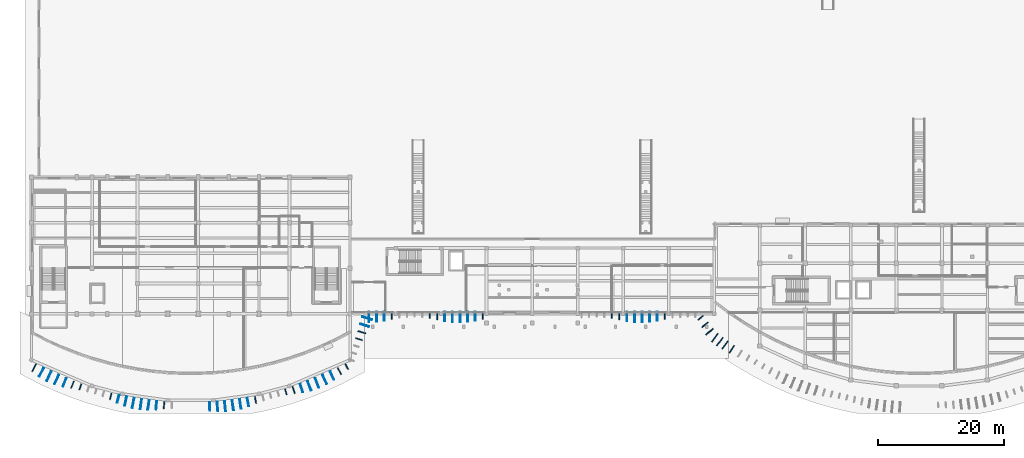
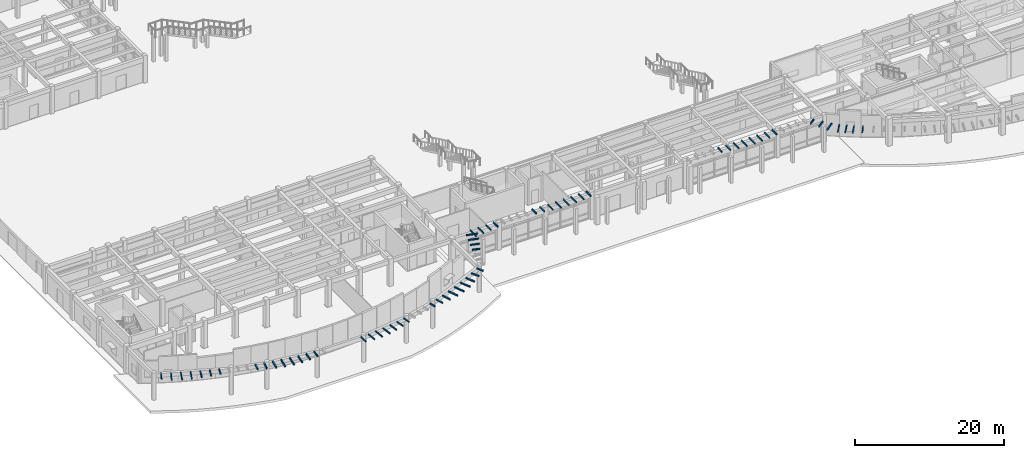
# One storey, part 41 of 58: 62 discrete accessories.
"""IFC4 building model written with IfcOpenShell, lengths in metres."""

from ifc_helpers import new_model, si_unit, direction, frame, origin, origin_2d, place, context, subcontext, project, spatial, rectangle, extrude, material, type_object, element, save


model = new_model("IFC4")

# Units and contexts
model_context = context("Model", 3, precision=1e-05, world=origin(), true_north=direction((0.0, 1.0)))
body_context = subcontext(model_context, "Body", "Model", "MODEL_VIEW")
ifc_project = project(units=[si_unit("LENGTHUNIT", "METRE"), si_unit("AREAUNIT", "SQUARE_METRE"), si_unit("VOLUMEUNIT", "CUBIC_METRE"), si_unit("PLANEANGLEUNIT", "RADIAN"), si_unit("MASSUNIT", "GRAM", prefix="KILO")], contexts=[model_context])

# Site, building, storey
site_placement = place(None, origin())
site = spatial("IfcSite", under=ifc_project, at=site_placement, CompositionType="ELEMENT")
building_placement = place(site_placement, origin())
building = spatial("IfcBuilding", under=site, at=building_placement, Name="Brisavento Harbour Community Centre", CompositionType="ELEMENT")
storey_placement = place(building_placement, origin())
storey = spatial("IfcBuildingStorey", under=building, at=storey_placement, Name="L00", CompositionType="ELEMENT", Elevation=0.0)

# Discrete accessories
ifc_material = material(Name="Stainless steel 1.4401", Category="steel")
discrete_accessory_type = type_object("IfcDiscreteAccessoryType", Name="BRK-FIN-SS", PredefinedType="BRACKET", material=ifc_material)
discrete_accessory_1_placement = place(storey_placement, frame((0.431884765625, 5.878662109375, 4.27978515625), z_axis=(0.0, 0.0, 1.0), x_axis=(-0.461702168823, -0.887035009063, 0.0)))
element("IfcDiscreteAccessory", 1, at=discrete_accessory_1_placement, inside=storey, type_object=discrete_accessory_type, Name="Stainless-steel storm-fin bracket 001.2", PredefinedType="BRACKET", context=body_context, shape_type="SweptSolid", body=[
    extrude(rectangle(XDim=1.32861328125, YDim=0.139892578125, at=origin_2d()), origin(), (0.0, 0.0, 1.0), 0.199951171875),
])
discrete_accessory_2_placement = place(storey_placement, frame((1.58447265625, 5.1630859375, 4.27978515625), z_axis=(0.0, 0.0, 1.0), x_axis=(-0.461702168823, -0.887035009063, 0.0)))
element("IfcDiscreteAccessory", 2, at=discrete_accessory_2_placement, inside=storey, type_object=discrete_accessory_type, Name="Stainless-steel storm-fin bracket 002.2", PredefinedType="BRACKET", context=body_context, shape_type="SweptSolid", body=[
    extrude(rectangle(XDim=1.533935546875, YDim=0.139892578125, at=origin_2d()), origin(), (0.0, 0.0, 1.0), 0.199951171875),
])
discrete_accessory_3_placement = place(storey_placement, frame((2.786376953125, 4.5234375, 4.27978515625), z_axis=(0.0, 0.0, 1.0), x_axis=(-0.415518926407, -0.909584532519, 0.0)))
element("IfcDiscreteAccessory", 3, at=discrete_accessory_3_placement, inside=storey, type_object=discrete_accessory_type, Name="Stainless-steel storm-fin bracket 003.2", PredefinedType="BRACKET", context=body_context, shape_type="SweptSolid", body=[
    extrude(rectangle(XDim=1.627685546875, YDim=0.139892578125, at=origin_2d()), origin(), (0.0, 0.0, 1.0), 0.199951171875),
])
discrete_accessory_4_placement = place(storey_placement, frame((3.99560546875, 3.99560546875, 4.27978515625), z_axis=(0.0, 0.0, 1.0), x_axis=(-0.415518926407, -0.909584532519, 0.0)))
element("IfcDiscreteAccessory", 4, at=discrete_accessory_4_placement, inside=storey, type_object=discrete_accessory_type, Name="Stainless-steel storm-fin bracket 004.2", PredefinedType="BRACKET", context=body_context, shape_type="SweptSolid", body=[
    extrude(rectangle(XDim=1.583251953125, YDim=0.139892578125, at=origin_2d()), origin(), (0.0, 0.0, 1.0), 0.199951171875),
])
discrete_accessory_5_placement = place(storey_placement, frame((5.248779296875, 3.549560546875, 4.27978515625), z_axis=(0.0, 0.0, 1.0), x_axis=(-0.369341311525, -0.92929381554, 0.0)))
element("IfcDiscreteAccessory", 5, at=discrete_accessory_5_placement, inside=storey, type_object=discrete_accessory_type, Name="Stainless-steel storm-fin bracket 005.2", PredefinedType="BRACKET", context=body_context, shape_type="SweptSolid", body=[
    extrude(rectangle(XDim=1.419189453125, YDim=0.139892578125, at=origin_2d()), origin(), (0.0, 0.0, 1.0), 0.199951171875),
])
discrete_accessory_6_placement = place(storey_placement, frame((6.490966796875, 3.17919921875, 4.27978515625), z_axis=(0.0, 0.0, 1.0), x_axis=(-0.369341311525, -0.92929381554, 0.0)))
element("IfcDiscreteAccessory", 6, at=discrete_accessory_6_placement, inside=storey, type_object=discrete_accessory_type, Name="Stainless-steel storm-fin bracket 006.2", PredefinedType="BRACKET", context=body_context, shape_type="SweptSolid", body=[
    extrude(rectangle(XDim=1.18994140625, YDim=0.139892578125, at=origin_2d()), origin(), (0.0, 0.0, 1.0), 0.199951171875),
])
discrete_accessory_7_placement = place(storey_placement, frame((7.74072265625, 2.836181640625, 4.27978515625), z_axis=(0.0, 0.0, 1.0), x_axis=(-0.323174264667, -0.94633947115, 0.0)))
element("IfcDiscreteAccessory", 7, at=discrete_accessory_7_placement, inside=storey, type_object=discrete_accessory_type, Name="Stainless-steel storm-fin bracket 007.2", PredefinedType="BRACKET", context=body_context, shape_type="SweptSolid", body=[
    extrude(rectangle(XDim=0.96728515625, YDim=0.139892578125, at=origin_2d()), origin(), (0.0, 0.0, 1.0), 0.199951171875),
])
discrete_accessory_8_placement = place(storey_placement, frame((12.54736328125, 1.339111328125, 4.27978515625), z_axis=(0.0, 0.0, 1.0), x_axis=(-0.230830981037, -0.972993863389, 0.0)))
element("IfcDiscreteAccessory", 8, at=discrete_accessory_8_placement, inside=storey, type_object=discrete_accessory_type, Name="Stainless-steel storm-fin bracket 011.2", PredefinedType="BRACKET", context=body_context, shape_type="SweptSolid", body=[
    extrude(rectangle(XDim=1.0556640625, YDim=0.139892578125, at=origin_2d()), origin(), (0.0, 0.0, 1.0), 0.199951171875),
])
discrete_accessory_9_placement = place(storey_placement, frame((13.721435546875, 0.945068359375, 4.27978515625), z_axis=(0.0, 0.0, 1.0), x_axis=(-0.230830981037, -0.972993863389, 0.0)))
element("IfcDiscreteAccessory", 9, at=discrete_accessory_9_placement, inside=storey, type_object=discrete_accessory_type, Name="Stainless-steel storm-fin bracket 012.2", PredefinedType="BRACKET", context=body_context, shape_type="SweptSolid", body=[
    extrude(rectangle(XDim=1.28076171875, YDim=0.139892578125, at=origin_2d()), origin(), (0.0, 0.0, 1.0), 0.199951171875),
])
discrete_accessory_10_placement = place(storey_placement, frame((14.91845703125, 0.5869140625, 4.27978515625), z_axis=(0.0, 0.0, 1.0), x_axis=(-0.184671830369, -0.982800241691, 0.0)))
element("IfcDiscreteAccessory", 10, at=discrete_accessory_10_placement, inside=storey, type_object=discrete_accessory_type, Name="Stainless-steel storm-fin bracket 013.2", PredefinedType="BRACKET", context=body_context, shape_type="SweptSolid", body=[
    extrude(rectangle(XDim=1.4833984375, YDim=0.139892578125, at=origin_2d()), origin(), (0.0, 0.0, 1.0), 0.199951171875),
])
discrete_accessory_11_placement = place(storey_placement, frame((16.10693359375, 0.30029296875, 4.27978515625), z_axis=(0.0, 0.0, 1.0), x_axis=(-0.184671830369, -0.982800241691, 0.0)))
element("IfcDiscreteAccessory", 11, at=discrete_accessory_11_placement, inside=storey, type_object=discrete_accessory_type, Name="Stainless-steel storm-fin bracket 014.2", PredefinedType="BRACKET", context=body_context, shape_type="SweptSolid", body=[
    extrude(rectangle(XDim=1.60791015625, YDim=0.139892578125, at=origin_2d()), origin(), (0.0, 0.0, 1.0), 0.199951171875),
])
discrete_accessory_12_placement = place(storey_placement, frame((17.329345703125, 0.093505859375, 4.27978515625), z_axis=(0.0, 0.0, 1.0), x_axis=(-0.138499014678, -0.990362571452, 0.0)))
element("IfcDiscreteAccessory", 12, at=discrete_accessory_12_placement, inside=storey, type_object=discrete_accessory_type, Name="Stainless-steel storm-fin bracket 015.2", PredefinedType="BRACKET", context=body_context, shape_type="SweptSolid", body=[
    extrude(rectangle(XDim=1.620849609375, YDim=0.139892578125, at=origin_2d()), origin(), (0.0, 0.0, 1.0), 0.199951171875),
])
discrete_accessory_13_placement = place(storey_placement, frame((18.536376953125, -0.0244140625, 4.27978515625), z_axis=(0.0, 0.0, 1.0), x_axis=(-0.138499014678, -0.990362571452, 0.0)))
element("IfcDiscreteAccessory", 13, at=discrete_accessory_13_placement, inside=storey, type_object=discrete_accessory_type, Name="Stainless-steel storm-fin bracket 016.2", PredefinedType="BRACKET", context=body_context, shape_type="SweptSolid", body=[
    extrude(rectangle(XDim=1.52001953125, YDim=0.139892578125, at=origin_2d()), origin(), (0.0, 0.0, 1.0), 0.199951171875),
])
discrete_accessory_14_placement = place(storey_placement, frame((19.76611328125, -0.073486328125, 4.27978515625), z_axis=(0.0, 0.0, 1.0), x_axis=(-0.092335830041, -0.99572792192, 0.0)))
element("IfcDiscreteAccessory", 14, at=discrete_accessory_14_placement, inside=storey, type_object=discrete_accessory_type, Name="Stainless-steel storm-fin bracket 017.2", PredefinedType="BRACKET", context=body_context, shape_type="SweptSolid", body=[
    extrude(rectangle(XDim=1.333740234375, YDim=0.139892578125, at=origin_2d()), origin(), (0.0, 0.0, 1.0), 0.199951171875),
])
discrete_accessory_15_placement = place(storey_placement, frame((20.976318359375, -0.074951171875, 4.27978515625), z_axis=(0.0, 0.0, 1.0), x_axis=(-0.092335830041, -0.99572792192, 0.0)))
element("IfcDiscreteAccessory", 15, at=discrete_accessory_15_placement, inside=storey, type_object=discrete_accessory_type, Name="Stainless-steel storm-fin bracket 018.2", PredefinedType="BRACKET", context=body_context, shape_type="SweptSolid", body=[
    extrude(rectangle(XDim=1.11279296875, YDim=0.139892578125, at=origin_2d()), origin(), (0.0, 0.0, 1.0), 0.199951171875),
])
discrete_accessory_16_placement = place(storey_placement, frame((28.216064453125, -0.251708984375, 4.27978515625), z_axis=(0.0, 0.0, 1.0), x_axis=(0.0461649984, -0.9989338281, 0.0)))
element("IfcDiscreteAccessory", 16, at=discrete_accessory_16_placement, inside=storey, type_object=discrete_accessory_type, Name="Stainless-steel storm-fin bracket 020.2", PredefinedType="BRACKET", context=body_context, shape_type="SweptSolid", body=[
    extrude(rectangle(XDim=1.29833984375, YDim=0.139892578125, at=origin_2d()), origin(), (0.0, 0.0, 1.0), 0.199951171875),
])
discrete_accessory_17_placement = place(storey_placement, frame((29.441162109375, -0.264404296875, 4.27978515625), z_axis=(0.0, 0.0, 1.0), x_axis=(0.092335830041, -0.99572792192, 0.0)))
element("IfcDiscreteAccessory", 17, at=discrete_accessory_17_placement, inside=storey, type_object=discrete_accessory_type, Name="Stainless-steel storm-fin bracket 021.2", PredefinedType="BRACKET", context=body_context, shape_type="SweptSolid", body=[
    extrude(rectangle(XDim=1.49365234375, YDim=0.139892578125, at=origin_2d()), origin(), (0.0, 0.0, 1.0), 0.199951171875),
])
discrete_accessory_18_placement = place(storey_placement, frame((30.646728515625, -0.211669921875, 4.27978515625), z_axis=(0.0, 0.0, 1.0), x_axis=(0.092335830041, -0.99572792192, 0.0)))
element("IfcDiscreteAccessory", 18, at=discrete_accessory_18_placement, inside=storey, type_object=discrete_accessory_type, Name="Stainless-steel storm-fin bracket 022.2", PredefinedType="BRACKET", context=body_context, shape_type="SweptSolid", body=[
    extrude(rectangle(XDim=1.611083984375, YDim=0.139892578125, at=origin_2d()), origin(), (0.0, 0.0, 1.0), 0.199951171875),
])
discrete_accessory_19_placement = place(storey_placement, frame((31.87060546875, -0.0732421875, 4.27978515625), z_axis=(0.0, 0.0, 1.0), x_axis=(0.138499014678, -0.990362571452, 0.0)))
element("IfcDiscreteAccessory", 19, at=discrete_accessory_19_placement, inside=storey, type_object=discrete_accessory_type, Name="Stainless-steel storm-fin bracket 023.2", PredefinedType="BRACKET", context=body_context, shape_type="SweptSolid", body=[
    extrude(rectangle(XDim=1.618896484375, YDim=0.139892578125, at=origin_2d()), origin(), (0.0, 0.0, 1.0), 0.199951171875),
])
discrete_accessory_20_placement = place(storey_placement, frame((33.063232421875, 0.146484375, 4.27978515625), z_axis=(0.0, 0.0, 1.0), x_axis=(0.138499014678, -0.990362571452, 0.0)))
element("IfcDiscreteAccessory", 20, at=discrete_accessory_20_placement, inside=storey, type_object=discrete_accessory_type, Name="Stainless-steel storm-fin bracket 024.2", PredefinedType="BRACKET", context=body_context, shape_type="SweptSolid", body=[
    extrude(rectangle(XDim=1.513916015625, YDim=0.139892578125, at=origin_2d()), origin(), (0.0, 0.0, 1.0), 0.199951171875),
])
discrete_accessory_21_placement = place(storey_placement, frame((34.266845703125, 0.440185546875, 4.27978515625), z_axis=(0.0, 0.0, 1.0), x_axis=(0.184671830369, -0.982800241691, 0.0)))
element("IfcDiscreteAccessory", 21, at=discrete_accessory_21_placement, inside=storey, type_object=discrete_accessory_type, Name="Stainless-steel storm-fin bracket 025.2", PredefinedType="BRACKET", context=body_context, shape_type="SweptSolid", body=[
    extrude(rectangle(XDim=1.323486328125, YDim=0.139892578125, at=origin_2d()), origin(), (0.0, 0.0, 1.0), 0.199951171875),
])
discrete_accessory_22_placement = place(storey_placement, frame((35.4462890625, 0.775634765625, 4.27978515625), z_axis=(0.0, 0.0, 1.0), x_axis=(0.184671830369, -0.982800241691, 0.0)))
element("IfcDiscreteAccessory", 22, at=discrete_accessory_22_placement, inside=storey, type_object=discrete_accessory_type, Name="Stainless-steel storm-fin bracket 026.2", PredefinedType="BRACKET", context=body_context, shape_type="SweptSolid", body=[
    extrude(rectangle(XDim=1.099853515625, YDim=0.139892578125, at=origin_2d()), origin(), (0.0, 0.0, 1.0), 0.199951171875),
])
discrete_accessory_23_placement = place(storey_placement, frame((40.244384765625, 2.06787109375, 4.27978515625), z_axis=(0.0, 0.0, 1.0), x_axis=(0.276996031628, -0.96087106235, 0.0)))
element("IfcDiscreteAccessory", 23, at=discrete_accessory_23_placement, inside=storey, type_object=discrete_accessory_type, Name="Stainless-steel storm-fin bracket 030.2", PredefinedType="BRACKET", context=body_context, shape_type="SweptSolid", body=[
    extrude(rectangle(XDim=0.921142578125, YDim=0.139892578125, at=origin_2d()), origin(), (0.0, 0.0, 1.0), 0.199951171875),
])
discrete_accessory_24_placement = place(storey_placement, frame((41.4853515625, 2.350341796875, 4.27978515625), z_axis=(0.0, 0.0, 1.0), x_axis=(0.323174264667, -0.94633947115, 0.0)))
element("IfcDiscreteAccessory", 24, at=discrete_accessory_24_placement, inside=storey, type_object=discrete_accessory_type, Name="Stainless-steel storm-fin bracket 031.2", PredefinedType="BRACKET", context=body_context, shape_type="SweptSolid", body=[
    extrude(rectangle(XDim=1.1279296875, YDim=0.139892578125, at=origin_2d()), origin(), (0.0, 0.0, 1.0), 0.199951171875),
])
discrete_accessory_25_placement = place(storey_placement, frame((42.72265625, 2.650634765625, 4.27978515625), z_axis=(0.0, 0.0, 1.0), x_axis=(0.323174264667, -0.94633947115, 0.0)))
element("IfcDiscreteAccessory", 25, at=discrete_accessory_25_placement, inside=storey, type_object=discrete_accessory_type, Name="Stainless-steel storm-fin bracket 032.2", PredefinedType="BRACKET", context=body_context, shape_type="SweptSolid", body=[
    extrude(rectangle(XDim=1.359130859375, YDim=0.139892578125, at=origin_2d()), origin(), (0.0, 0.0, 1.0), 0.199951171875),
])
discrete_accessory_26_placement = place(storey_placement, frame((43.974609375, 3.013916015625, 4.27978515625), z_axis=(0.0, 0.0, 1.0), x_axis=(0.369341311525, -0.92929381554, 0.0)))
element("IfcDiscreteAccessory", 26, at=discrete_accessory_26_placement, inside=storey, type_object=discrete_accessory_type, Name="Stainless-steel storm-fin bracket 033.2", PredefinedType="BRACKET", context=body_context, shape_type="SweptSolid", body=[
    extrude(rectangle(XDim=1.54541015625, YDim=0.139892578125, at=origin_2d()), origin(), (0.0, 0.0, 1.0), 0.199951171875),
])
discrete_accessory_27_placement = place(storey_placement, frame((45.18994140625, 3.4521484375, 4.27978515625), z_axis=(0.0, 0.0, 1.0), x_axis=(0.369341311525, -0.92929381554, 0.0)))
element("IfcDiscreteAccessory", 27, at=discrete_accessory_27_placement, inside=storey, type_object=discrete_accessory_type, Name="Stainless-steel storm-fin bracket 034.2", PredefinedType="BRACKET", context=body_context, shape_type="SweptSolid", body=[
    extrude(rectangle(XDim=1.628662109375, YDim=0.139892578125, at=origin_2d()), origin(), (0.0, 0.0, 1.0), 0.199951171875),
])
discrete_accessory_28_placement = place(storey_placement, frame((46.403564453125, 3.9970703125, 4.27978515625), z_axis=(0.0, 0.0, 1.0), x_axis=(0.415518926407, -0.909584532519, 0.0)))
element("IfcDiscreteAccessory", 28, at=discrete_accessory_28_placement, inside=storey, type_object=discrete_accessory_type, Name="Stainless-steel storm-fin bracket 035.2", PredefinedType="BRACKET", context=body_context, shape_type="SweptSolid", body=[
    extrude(rectangle(XDim=1.57958984375, YDim=0.139892578125, at=origin_2d()), origin(), (0.0, 0.0, 1.0), 0.199951171875),
])
discrete_accessory_29_placement = place(storey_placement, frame((47.568359375, 4.62255859375, 4.27978515625), z_axis=(0.0, 0.0, 1.0), x_axis=(0.415518926407, -0.909584532519, 0.0)))
element("IfcDiscreteAccessory", 29, at=discrete_accessory_29_placement, inside=storey, type_object=discrete_accessory_type, Name="Stainless-steel storm-fin bracket 036.2", PredefinedType="BRACKET", context=body_context, shape_type="SweptSolid", body=[
    extrude(rectangle(XDim=1.41015625, YDim=0.139892578125, at=origin_2d()), origin(), (0.0, 0.0, 1.0), 0.199951171875),
])
discrete_accessory_30_placement = place(storey_placement, frame((48.73193359375, 5.323974609375, 4.27978515625), z_axis=(0.0, 0.0, 1.0), x_axis=(0.461702168823, -0.887035009063, 0.0)))
element("IfcDiscreteAccessory", 30, at=discrete_accessory_30_placement, inside=storey, type_object=discrete_accessory_type, Name="Stainless-steel storm-fin bracket 037.2", PredefinedType="BRACKET", context=body_context, shape_type="SweptSolid", body=[
    extrude(rectangle(XDim=1.17138671875, YDim=0.139892578125, at=origin_2d()), origin(), (0.0, 0.0, 1.0), 0.199951171875),
])
discrete_accessory_31_placement = place(storey_placement, frame((49.878662109375, 6.050537109375, 4.27978515625), z_axis=(0.0, 0.0, 1.0), x_axis=(0.461702168823, -0.887035009063, 0.0)))
element("IfcDiscreteAccessory", 31, at=discrete_accessory_31_placement, inside=storey, type_object=discrete_accessory_type, Name="Stainless-steel storm-fin bracket 038.2", PredefinedType="BRACKET", context=body_context, shape_type="SweptSolid", body=[
    extrude(rectangle(XDim=0.941162109375, YDim=0.139892578125, at=origin_2d()), origin(), (0.0, 0.0, 1.0), 0.199951171875),
])
discrete_accessory_32_placement = place(storey_placement, frame((51.814208984375, 10.391845703125, 4.27978515625), z_axis=(0.0, 0.0, 1.0), x_axis=(0.956676487643, -0.291153049083, 0.0)))
element("IfcDiscreteAccessory", 32, at=discrete_accessory_32_placement, inside=storey, type_object=discrete_accessory_type, Name="Stainless-steel storm-fin bracket 042.2", PredefinedType="BRACKET", context=body_context, shape_type="SweptSolid", body=[
    extrude(rectangle(XDim=1.0478515625, YDim=0.139892578125, at=origin_2d()), origin(), (0.0, 0.0, 1.0), 0.199951171875),
])
discrete_accessory_33_placement = place(storey_placement, frame((52.259765625, 11.4873046875, 4.27978515625), z_axis=(0.0, 0.0, 1.0), x_axis=(0.956676487643, -0.291153049083, 0.0)))
element("IfcDiscreteAccessory", 33, at=discrete_accessory_33_placement, inside=storey, type_object=discrete_accessory_type, Name="Stainless-steel storm-fin bracket 043.2", PredefinedType="BRACKET", context=body_context, shape_type="SweptSolid", body=[
    extrude(rectangle(XDim=1.26220703125, YDim=0.139892578125, at=origin_2d()), origin(), (0.0, 0.0, 1.0), 0.199951171875),
])
discrete_accessory_34_placement = place(storey_placement, frame((52.697998046875, 12.584716796875, 4.27978515625), z_axis=(0.0, 0.0, 1.0), x_axis=(0.956676487643, -0.291153049083, 0.0)))
element("IfcDiscreteAccessory", 34, at=discrete_accessory_34_placement, inside=storey, type_object=discrete_accessory_type, Name="Stainless-steel storm-fin bracket 044.2", PredefinedType="BRACKET", context=body_context, shape_type="SweptSolid", body=[
    extrude(rectangle(XDim=1.4619140625, YDim=0.139892578125, at=origin_2d()), origin(), (0.0, 0.0, 1.0), 0.199951171875),
])
discrete_accessory_35_placement = place(storey_placement, frame((53.1044921875, 13.69189453125, 4.27978515625), z_axis=(0.0, 0.0, 1.0), x_axis=(0.956676487643, -0.291153049083, 0.0)))
element("IfcDiscreteAccessory", 35, at=discrete_accessory_35_placement, inside=storey, type_object=discrete_accessory_type, Name="Stainless-steel storm-fin bracket 045.2", PredefinedType="BRACKET", context=body_context, shape_type="SweptSolid", body=[
    extrude(rectangle(XDim=1.59521484375, YDim=0.139892578125, at=origin_2d()), origin(), (0.0, 0.0, 1.0), 0.199951171875),
])
discrete_accessory_36_placement = place(storey_placement, frame((53.39990234375, 13.88623046875, 4.27978515625), z_axis=(0.0, 0.0, 1.0), x_axis=(0.0, -1.0, 0.0)))
element("IfcDiscreteAccessory", 36, at=discrete_accessory_36_placement, inside=storey, type_object=discrete_accessory_type, Name="Stainless-steel storm-fin bracket 046.2", PredefinedType="BRACKET", context=body_context, shape_type="SweptSolid", body=[
    extrude(rectangle(XDim=1.62744140625, YDim=0.139892578125, at=origin_2d()), origin(), (0.0, 0.0, 1.0), 0.199951171875),
])
discrete_accessory_37_placement = place(storey_placement, frame((54.60009765625, 13.92626953125, 4.27978515625), z_axis=(0.0, 0.0, 1.0), x_axis=(0.0, -1.0, 0.0)))
element("IfcDiscreteAccessory", 37, at=discrete_accessory_37_placement, inside=storey, type_object=discrete_accessory_type, Name="Stainless-steel storm-fin bracket 047.2", PredefinedType="BRACKET", context=body_context, shape_type="SweptSolid", body=[
    extrude(rectangle(XDim=1.54736328125, YDim=0.139892578125, at=origin_2d()), origin(), (0.0, 0.0, 1.0), 0.199951171875),
])
discrete_accessory_38_placement = place(storey_placement, frame((55.800048828125, 14.01220703125, 4.27978515625), z_axis=(0.0, 0.0, 1.0), x_axis=(0.0, -1.0, 0.0)))
element("IfcDiscreteAccessory", 38, at=discrete_accessory_38_placement, inside=storey, type_object=discrete_accessory_type, Name="Stainless-steel storm-fin bracket 048.2", PredefinedType="BRACKET", context=body_context, shape_type="SweptSolid", body=[
    extrude(rectangle(XDim=1.37548828125, YDim=0.139892578125, at=origin_2d()), origin(), (0.0, 0.0, 1.0), 0.199951171875),
])
discrete_accessory_39_placement = place(storey_placement, frame((57.0, 14.12109375, 4.27978515625), z_axis=(0.0, 0.0, 1.0), x_axis=(0.0, -1.0, 0.0)))
element("IfcDiscreteAccessory", 39, at=discrete_accessory_39_placement, inside=storey, type_object=discrete_accessory_type, Name="Stainless-steel storm-fin bracket 049.2", PredefinedType="BRACKET", context=body_context, shape_type="SweptSolid", body=[
    extrude(rectangle(XDim=1.157958984375, YDim=0.139892578125, at=origin_2d()), origin(), (0.0, 0.0, 1.0), 0.199951171875),
])
discrete_accessory_40_placement = place(storey_placement, frame((63.0, 14.182861328125, 4.27978515625), z_axis=(0.0, 0.0, 1.0), x_axis=(0.0, -1.0, 0.0)))
element("IfcDiscreteAccessory", 40, at=discrete_accessory_40_placement, inside=storey, type_object=discrete_accessory_type, Name="Stainless-steel storm-fin bracket 054.2", PredefinedType="BRACKET", context=body_context, shape_type="SweptSolid", body=[
    extrude(rectangle(XDim=1.034423828125, YDim=0.139892578125, at=origin_2d()), origin(), (0.0, 0.0, 1.0), 0.199951171875),
])
discrete_accessory_41_placement = place(storey_placement, frame((64.199951171875, 14.073974609375, 4.27978515625), z_axis=(0.0, 0.0, 1.0), x_axis=(0.0, -1.0, 0.0)))
element("IfcDiscreteAccessory", 41, at=discrete_accessory_41_placement, inside=storey, type_object=discrete_accessory_type, Name="Stainless-steel storm-fin bracket 055.2", PredefinedType="BRACKET", context=body_context, shape_type="SweptSolid", body=[
    extrude(rectangle(XDim=1.251953125, YDim=0.139892578125, at=origin_2d()), origin(), (0.0, 0.0, 1.0), 0.199951171875),
])
discrete_accessory_42_placement = place(storey_placement, frame((65.39990234375, 13.971435546875, 4.27978515625), z_axis=(0.0, 0.0, 1.0), x_axis=(0.0, -1.0, 0.0)))
element("IfcDiscreteAccessory", 42, at=discrete_accessory_42_placement, inside=storey, type_object=discrete_accessory_type, Name="Stainless-steel storm-fin bracket 056.2", PredefinedType="BRACKET", context=body_context, shape_type="SweptSolid", body=[
    extrude(rectangle(XDim=1.456787109375, YDim=0.139892578125, at=origin_2d()), origin(), (0.0, 0.0, 1.0), 0.199951171875),
])
discrete_accessory_43_placement = place(storey_placement, frame((66.60009765625, 13.90283203125, 4.27978515625), z_axis=(0.0, 0.0, 1.0), x_axis=(0.0, -1.0, 0.0)))
element("IfcDiscreteAccessory", 43, at=discrete_accessory_43_placement, inside=storey, type_object=discrete_accessory_type, Name="Stainless-steel storm-fin bracket 057.2", PredefinedType="BRACKET", context=body_context, shape_type="SweptSolid", body=[
    extrude(rectangle(XDim=1.59423828125, YDim=0.139892578125, at=origin_2d()), origin(), (0.0, 0.0, 1.0), 0.199951171875),
])
discrete_accessory_44_placement = place(storey_placement, frame((67.800048828125, 13.88623046875, 4.27978515625), z_axis=(0.0, 0.0, 1.0), x_axis=(0.0, -1.0, 0.0)))
element("IfcDiscreteAccessory", 44, at=discrete_accessory_44_placement, inside=storey, type_object=discrete_accessory_type, Name="Stainless-steel storm-fin bracket 058.2", PredefinedType="BRACKET", context=body_context, shape_type="SweptSolid", body=[
    extrude(rectangle(XDim=1.62744140625, YDim=0.139892578125, at=origin_2d()), origin(), (0.0, 0.0, 1.0), 0.199951171875),
])
discrete_accessory_45_placement = place(storey_placement, frame((69.0, 13.92626953125, 4.27978515625), z_axis=(0.0, 0.0, 1.0), x_axis=(0.0, -1.0, 0.0)))
element("IfcDiscreteAccessory", 45, at=discrete_accessory_45_placement, inside=storey, type_object=discrete_accessory_type, Name="Stainless-steel storm-fin bracket 059.2", PredefinedType="BRACKET", context=body_context, shape_type="SweptSolid", body=[
    extrude(rectangle(XDim=1.54736328125, YDim=0.139892578125, at=origin_2d()), origin(), (0.0, 0.0, 1.0), 0.199951171875),
])
discrete_accessory_46_placement = place(storey_placement, frame((70.199951171875, 14.01220703125, 4.27978515625), z_axis=(0.0, 0.0, 1.0), x_axis=(0.0, -1.0, 0.0)))
element("IfcDiscreteAccessory", 46, at=discrete_accessory_46_placement, inside=storey, type_object=discrete_accessory_type, Name="Stainless-steel storm-fin bracket 060.2", PredefinedType="BRACKET", context=body_context, shape_type="SweptSolid", body=[
    extrude(rectangle(XDim=1.37548828125, YDim=0.139892578125, at=origin_2d()), origin(), (0.0, 0.0, 1.0), 0.199951171875),
])
discrete_accessory_47_placement = place(storey_placement, frame((71.39990234375, 14.12109375, 4.27978515625), z_axis=(0.0, 0.0, 1.0), x_axis=(0.0, -1.0, 0.0)))
element("IfcDiscreteAccessory", 47, at=discrete_accessory_47_placement, inside=storey, type_object=discrete_accessory_type, Name="Stainless-steel storm-fin bracket 061.2", PredefinedType="BRACKET", context=body_context, shape_type="SweptSolid", body=[
    extrude(rectangle(XDim=1.157958984375, YDim=0.139892578125, at=origin_2d()), origin(), (0.0, 0.0, 1.0), 0.199951171875),
])
discrete_accessory_48_placement = place(storey_placement, frame((91.800048828125, 14.182861328125, 4.27978515625), z_axis=(0.0, 0.0, 1.0), x_axis=(0.0, -1.0, 0.0)))
element("IfcDiscreteAccessory", 48, at=discrete_accessory_48_placement, inside=storey, type_object=discrete_accessory_type, Name="Stainless-steel storm-fin bracket 078.2", PredefinedType="BRACKET", context=body_context, shape_type="SweptSolid", body=[
    extrude(rectangle(XDim=1.034423828125, YDim=0.139892578125, at=origin_2d()), origin(), (0.0, 0.0, 1.0), 0.199951171875),
])
discrete_accessory_49_placement = place(storey_placement, frame((93.0, 14.073974609375, 4.27978515625), z_axis=(0.0, 0.0, 1.0), x_axis=(0.0, -1.0, 0.0)))
element("IfcDiscreteAccessory", 49, at=discrete_accessory_49_placement, inside=storey, type_object=discrete_accessory_type, Name="Stainless-steel storm-fin bracket 079.2", PredefinedType="BRACKET", context=body_context, shape_type="SweptSolid", body=[
    extrude(rectangle(XDim=1.251953125, YDim=0.139892578125, at=origin_2d()), origin(), (0.0, 0.0, 1.0), 0.199951171875),
])
discrete_accessory_50_placement = place(storey_placement, frame((94.199951171875, 13.971435546875, 4.27978515625), z_axis=(0.0, 0.0, 1.0), x_axis=(0.0, -1.0, 0.0)))
element("IfcDiscreteAccessory", 50, at=discrete_accessory_50_placement, inside=storey, type_object=discrete_accessory_type, Name="Stainless-steel storm-fin bracket 080.2", PredefinedType="BRACKET", context=body_context, shape_type="SweptSolid", body=[
    extrude(rectangle(XDim=1.456787109375, YDim=0.139892578125, at=origin_2d()), origin(), (0.0, 0.0, 1.0), 0.199951171875),
])
discrete_accessory_51_placement = place(storey_placement, frame((95.39990234375, 13.90283203125, 4.27978515625), z_axis=(0.0, 0.0, 1.0), x_axis=(0.0, -1.0, 0.0)))
element("IfcDiscreteAccessory", 51, at=discrete_accessory_51_placement, inside=storey, type_object=discrete_accessory_type, Name="Stainless-steel storm-fin bracket 081.2", PredefinedType="BRACKET", context=body_context, shape_type="SweptSolid", body=[
    extrude(rectangle(XDim=1.59423828125, YDim=0.139892578125, at=origin_2d()), origin(), (0.0, 0.0, 1.0), 0.199951171875),
])
discrete_accessory_52_placement = place(storey_placement, frame((96.60009765625, 13.88623046875, 4.27978515625), z_axis=(0.0, 0.0, 1.0), x_axis=(0.0, -1.0, 0.0)))
element("IfcDiscreteAccessory", 52, at=discrete_accessory_52_placement, inside=storey, type_object=discrete_accessory_type, Name="Stainless-steel storm-fin bracket 082.2", PredefinedType="BRACKET", context=body_context, shape_type="SweptSolid", body=[
    extrude(rectangle(XDim=1.62744140625, YDim=0.139892578125, at=origin_2d()), origin(), (0.0, 0.0, 1.0), 0.199951171875),
])
discrete_accessory_53_placement = place(storey_placement, frame((97.800048828125, 13.92626953125, 4.27978515625), z_axis=(0.0, 0.0, 1.0), x_axis=(0.0, -1.0, 0.0)))
element("IfcDiscreteAccessory", 53, at=discrete_accessory_53_placement, inside=storey, type_object=discrete_accessory_type, Name="Stainless-steel storm-fin bracket 083.2", PredefinedType="BRACKET", context=body_context, shape_type="SweptSolid", body=[
    extrude(rectangle(XDim=1.54736328125, YDim=0.139892578125, at=origin_2d()), origin(), (0.0, 0.0, 1.0), 0.199951171875),
])
discrete_accessory_54_placement = place(storey_placement, frame((99.0, 14.01220703125, 4.27978515625), z_axis=(0.0, 0.0, 1.0), x_axis=(0.0, -1.0, 0.0)))
element("IfcDiscreteAccessory", 54, at=discrete_accessory_54_placement, inside=storey, type_object=discrete_accessory_type, Name="Stainless-steel storm-fin bracket 084.2", PredefinedType="BRACKET", context=body_context, shape_type="SweptSolid", body=[
    extrude(rectangle(XDim=1.37548828125, YDim=0.139892578125, at=origin_2d()), origin(), (0.0, 0.0, 1.0), 0.199951171875),
])
discrete_accessory_55_placement = place(storey_placement, frame((100.199951171875, 14.12109375, 4.27978515625), z_axis=(0.0, 0.0, 1.0), x_axis=(0.0, -1.0, 0.0)))
element("IfcDiscreteAccessory", 55, at=discrete_accessory_55_placement, inside=storey, type_object=discrete_accessory_type, Name="Stainless-steel storm-fin bracket 085.2", PredefinedType="BRACKET", context=body_context, shape_type="SweptSolid", body=[
    extrude(rectangle(XDim=1.157958984375, YDim=0.139892578125, at=origin_2d()), origin(), (0.0, 0.0, 1.0), 0.199951171875),
])
discrete_accessory_56_placement = place(storey_placement, frame((105.825439453125, 13.751708984375, 4.27978515625), z_axis=(0.0, 0.0, 1.0), x_axis=(-0.788053732966, -0.615606460297, 0.0)))
element("IfcDiscreteAccessory", 56, at=discrete_accessory_56_placement, inside=storey, type_object=discrete_accessory_type, Name="Stainless-steel storm-fin bracket 090.2", PredefinedType="BRACKET", context=body_context, shape_type="SweptSolid", body=[
    extrude(rectangle(XDim=1.043212890625, YDim=0.139892578125, at=origin_2d()), origin(), (0.0, 0.0, 1.0), 0.199951171875),
])
discrete_accessory_57_placement = place(storey_placement, frame((106.5322265625, 12.65478515625, 4.27978515625), z_axis=(0.0, 0.0, 1.0), x_axis=(-0.788053732966, -0.615606460297, 0.0)))
element("IfcDiscreteAccessory", 57, at=discrete_accessory_57_placement, inside=storey, type_object=discrete_accessory_type, Name="Stainless-steel storm-fin bracket 091.2", PredefinedType="BRACKET", context=body_context, shape_type="SweptSolid", body=[
    extrude(rectangle(XDim=1.279296875, YDim=0.139892578125, at=origin_2d()), origin(), (0.0, 0.0, 1.0), 0.199951171875),
])
discrete_accessory_58_placement = place(storey_placement, frame((107.248291015625, 11.56494140625, 4.27978515625), z_axis=(0.0, 0.0, 1.0), x_axis=(-0.788053732966, -0.615606460297, 0.0)))
element("IfcDiscreteAccessory", 58, at=discrete_accessory_58_placement, inside=storey, type_object=discrete_accessory_type, Name="Stainless-steel storm-fin bracket 092.2", PredefinedType="BRACKET", context=body_context, shape_type="SweptSolid", body=[
    extrude(rectangle(XDim=1.492431640625, YDim=0.139892578125, at=origin_2d()), origin(), (0.0, 0.0, 1.0), 0.199951171875),
])
discrete_accessory_59_placement = place(storey_placement, frame((108.09765625, 10.62451171875, 4.27978515625), z_axis=(0.0, 0.0, 1.0), x_axis=(-0.600252726595, -0.799810392665, 0.0)))
element("IfcDiscreteAccessory", 59, at=discrete_accessory_59_placement, inside=storey, type_object=discrete_accessory_type, Name="Stainless-steel storm-fin bracket 093.2", PredefinedType="BRACKET", context=body_context, shape_type="SweptSolid", body=[
    extrude(rectangle(XDim=1.607666015625, YDim=0.139892578125, at=origin_2d()), origin(), (0.0, 0.0, 1.0), 0.199951171875),
])
discrete_accessory_60_placement = place(storey_placement, frame((108.8916015625, 10.01611328125, 4.27978515625), z_axis=(0.0, 0.0, 1.0), x_axis=(-0.600252726595, -0.799810392665, 0.0)))
element("IfcDiscreteAccessory", 60, at=discrete_accessory_60_placement, inside=storey, type_object=discrete_accessory_type, Name="Stainless-steel storm-fin bracket 094.2", PredefinedType="BRACKET", context=body_context, shape_type="SweptSolid", body=[
    extrude(rectangle(XDim=1.62744140625, YDim=0.139892578125, at=origin_2d()), origin(), (0.0, 0.0, 1.0), 0.199951171875),
])
discrete_accessory_61_placement = place(storey_placement, frame((109.70947265625, 9.439453125, 4.27978515625), z_axis=(0.0, 0.0, 1.0), x_axis=(-0.600252726595, -0.799810392665, 0.0)))
element("IfcDiscreteAccessory", 61, at=discrete_accessory_61_placement, inside=storey, type_object=discrete_accessory_type, Name="Stainless-steel storm-fin bracket 095.2", PredefinedType="BRACKET", context=body_context, shape_type="SweptSolid", body=[
    extrude(rectangle(XDim=1.568115234375, YDim=0.139892578125, at=origin_2d()), origin(), (0.0, 0.0, 1.0), 0.199951171875),
])
discrete_accessory_62_placement = place(storey_placement, frame((110.77685546875, 8.7919921875, 4.27978515625), z_axis=(0.0, 0.0, 1.0), x_axis=(-0.554060082852, -0.832476681109, 0.0)))
element("IfcDiscreteAccessory", 62, at=discrete_accessory_62_placement, inside=storey, type_object=discrete_accessory_type, Name="Stainless-steel storm-fin bracket 096.2", PredefinedType="BRACKET", context=body_context, shape_type="SweptSolid", body=[
    extrude(rectangle(XDim=1.405517578125, YDim=0.139892578125, at=origin_2d()), origin(), (0.0, 0.0, 1.0), 0.199951171875),
])

save(model, "model.ifc")
